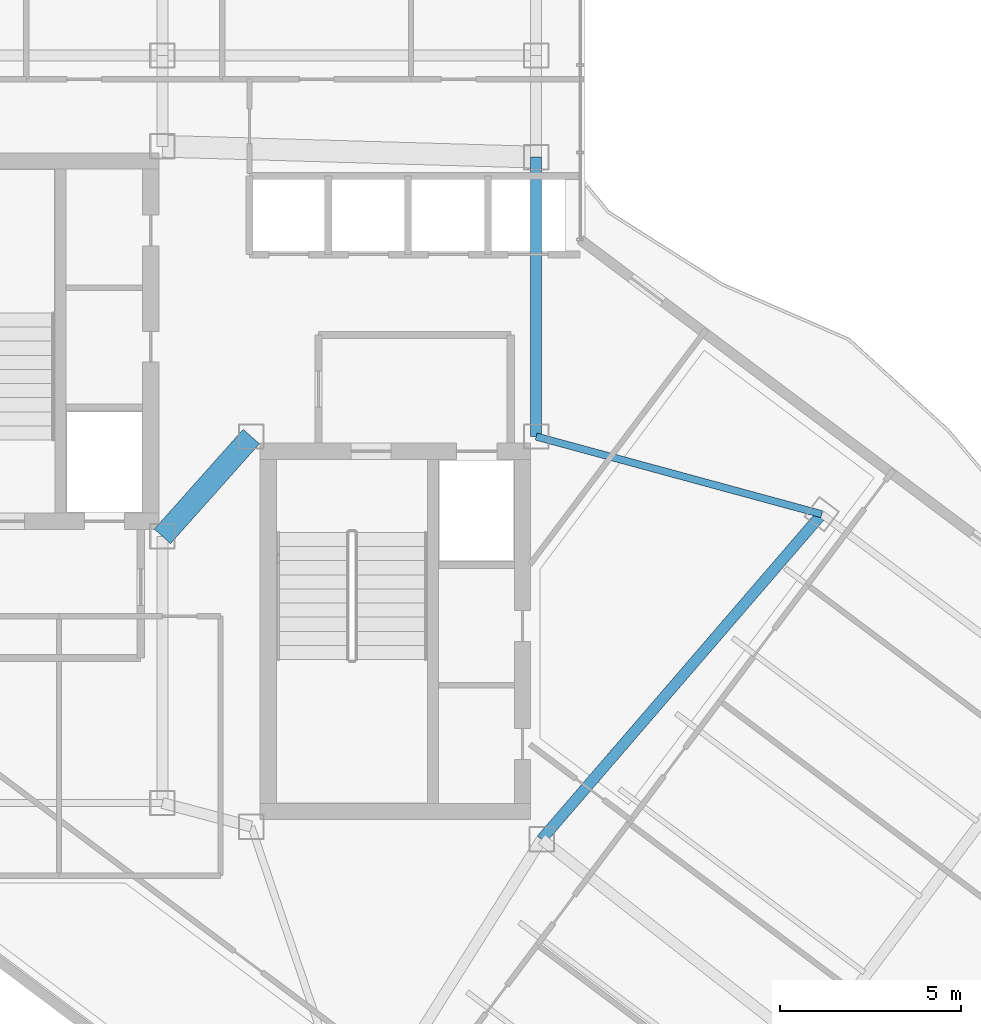
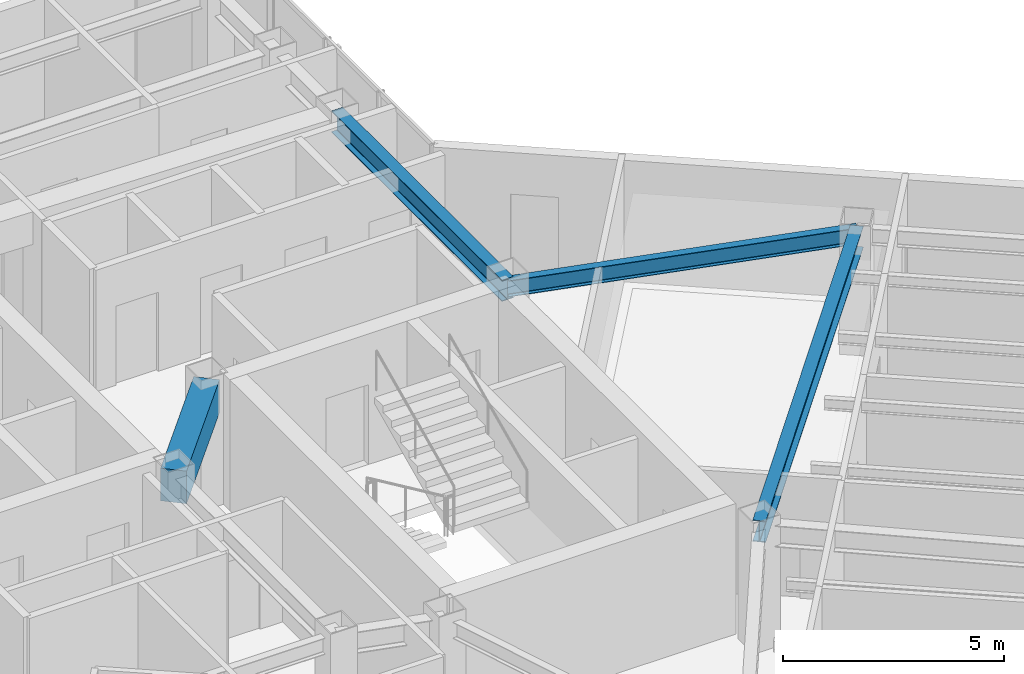
# One storey, part 9 of 25: 4 beams.
"""IFC4 building model written with IfcOpenShell, lengths in metres."""

from ifc_helpers import new_model, si_unit, direction, frame, origin, origin_2d, place, context, subcontext, project, spatial, rectangle, i_section, extrude, material, material_profile, profile_set, type_object, element, save


model = new_model("IFC4")

# Units and contexts
model_context = context("Model", 3, precision=1e-05, world=origin(), true_north=direction((0.0, 1.0)))
body_context = subcontext(model_context, "Body", "Model", "MODEL_VIEW")
ifc_project = project(units=[si_unit("LENGTHUNIT", "METRE"), si_unit("AREAUNIT", "SQUARE_METRE"), si_unit("VOLUMEUNIT", "CUBIC_METRE"), si_unit("PLANEANGLEUNIT", "RADIAN"), si_unit("MASSUNIT", "GRAM", prefix="KILO")], contexts=[model_context])

# Site, building, storey
site_placement = place(None, origin())
site = spatial("IfcSite", under=ifc_project, at=site_placement, CompositionType="ELEMENT")
building_placement = place(site_placement, origin())
building = spatial("IfcBuilding", under=site, at=building_placement, Name="Hatsunagi Terrace Concourse", CompositionType="ELEMENT")
storey_placement = place(building_placement, frame((0.0, 0.0, 223.949951171875)))
storey = spatial("IfcBuildingStorey", under=building, at=storey_placement, Name="L59", CompositionType="ELEMENT", Elevation=223.949951171875)

# Beams
ifc_material_1 = material(Name="Concrete Fc42", Category="concrete")
ifc_material_profile_1 = material_profile(ifc_material_1, rectangle(XDim=0.60009765625, YDim=0.89990234375, at=origin_2d()), Name="RC-600x900")
ifc_profile_set_1 = profile_set([ifc_material_profile_1], Name="Concrete Fc42")
beam_type_1 = type_object("IfcBeamType", Name="CoreCouplingBeam_RC_600x900", PredefinedType="BEAM", material=ifc_profile_set_1)
beam_1_placement = place(storey_placement, frame((33.35009765625, 32.550048828125, 2.900146484375), z_axis=(0.665198651008, 0.746666427997, 0.0), x_axis=(-0.746666427997, 0.665198651008, 0.0)))
element("IfcBeam", 1, at=beam_1_placement, inside=storey, type_object=beam_type_1, Name="Beam CB-03 CB-L59-1", PredefinedType="BEAM", context=body_context, shape_type="SweptSolid", body=[
    extrude(rectangle(XDim=0.60009765625, YDim=0.89990234375, at=origin_2d()), origin(), (0.0, 0.0, 1.0), 3.68310546875),
])
ifc_material_2 = material(Name="Steel SN490B", Category="steel")
ifc_material_profile_2 = material_profile(ifc_material_2, i_section(OverallWidth=0.300048828125, OverallDepth=0.587890625, WebThickness=0.011962890625, FlangeThickness=0.02001953125, FilletRadius=0.01806640625, at=origin_2d()), Name="H-588x300x12x20")
ifc_profile_set_2 = profile_set([ifc_material_profile_2], Name="Steel SN490B")
beam_type_2 = type_object("IfcBeamType", Name="OfficeHighGirder_H_588x300", PredefinedType="BEAM", material=ifc_profile_set_2)
beam_2_placement = place(storey_placement, frame((43.64990234375, 35.300048828125, 3.05615234375), z_axis=(0.0, 1.0, 0.0), x_axis=(-1.0, 0.0, 0.0)))
element("IfcBeam", 2, at=beam_2_placement, inside=storey, type_object=beam_type_2, Name="Beam G-06 BM-L59-CBK3", PredefinedType="BEAM", context=body_context, shape_type="SweptSolid", body=[
    extrude(i_section(OverallWidth=0.300048828125, OverallDepth=0.587890625, WebThickness=0.011962890625, FlangeThickness=0.02001953125, FilletRadius=0.01806640625, at=origin_2d()), origin(), (0.0, 0.0, 1.0), 7.699951171875),
])
beam_3_placement = place(storey_placement, frame((43.800048828125, 24.199951171875, 3.05615234375), z_axis=(0.652739101421, 0.757582777969, 0.0), x_axis=(-0.757582777969, 0.652739101421, 0.0)))
element("IfcBeam", 3, at=beam_3_placement, inside=storey, type_object=beam_type_2, Name="Beam G-06 BM-L59-SET-1B", PredefinedType="BEAM", context=body_context, shape_type="SweptSolid", body=[
    extrude(i_section(OverallWidth=0.300048828125, OverallDepth=0.587890625, WebThickness=0.011962890625, FlangeThickness=0.02001953125, FilletRadius=0.01806640625, at=origin_2d()), origin(), (0.0, 0.0, 1.0), 11.8271484375),
])
ifc_material_3 = material(Name="Steel SN490B", Category="steel")
ifc_material_profile_3 = material_profile(ifc_material_3, i_section(OverallWidth=0.199951171875, OverallDepth=0.449951171875, WebThickness=0.009033203125, FlangeThickness=0.013916015625, FilletRadius=0.01611328125, at=origin_2d()), Name="H-450x200x9x14")
ifc_profile_set_3 = profile_set([ifc_material_profile_3], Name="Steel SN490B")
beam_type_3 = type_object("IfcBeamType", Name="PerimeterSpandrel_H_450x200", PredefinedType="SPANDREL", material=ifc_profile_set_3)
beam_4_placement = place(storey_placement, frame((43.64990234375, 35.300048828125, 3.125), z_axis=(0.964958359286, -0.262403057994, 0.0), x_axis=(0.262403057994, 0.964958359286, 0.0)))
element("IfcBeam", 4, at=beam_4_placement, inside=storey, type_object=beam_type_3, Name="Beam SP-02 BM-L59-SE-NE0", PredefinedType="SPANDREL", context=body_context, shape_type="SweptSolid", body=[
    extrude(i_section(OverallWidth=0.199951171875, OverallDepth=0.449951171875, WebThickness=0.009033203125, FlangeThickness=0.013916015625, FilletRadius=0.01611328125, at=origin_2d()), origin(), (0.0, 0.0, 1.0), 8.156005859375),
])

save(model, "model.ifc")
